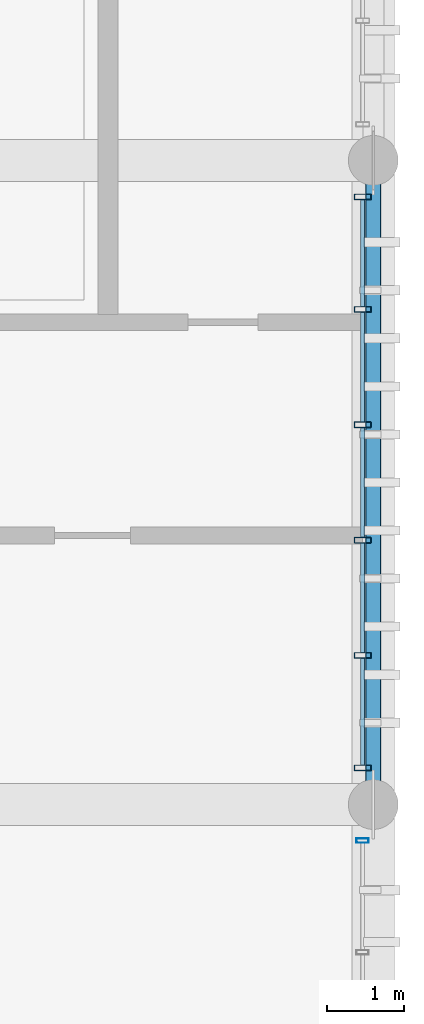
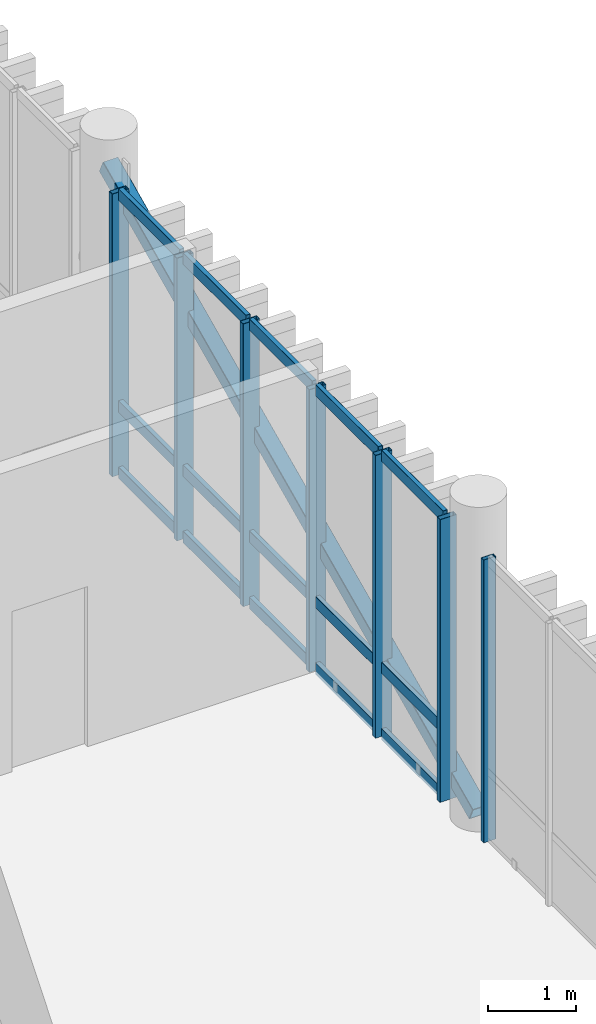
# One storey, part 33 of 53: 23 members, 2 elements without a shape of their own.
"""IFC4 building model written with IfcOpenShell, lengths in metres."""

from ifc_helpers import new_model, si_unit, direction, frame, origin_with_axes, origin_2d_with_axis, place, context, subcontext, project, spatial, hollow_rectangle, extrude, material, material_profile, profile_set, type_object, element, aggregate, save


model = new_model("IFC4")

# Units and contexts
model_context = context("Model", 3, precision=1e-05, world=origin_with_axes(), true_north=direction((0.0, 1.0)))
body_context = subcontext(model_context, "Body", "Model", "MODEL_VIEW")
ifc_project = project(units=[si_unit("LENGTHUNIT", "METRE"), si_unit("AREAUNIT", "SQUARE_METRE"), si_unit("VOLUMEUNIT", "CUBIC_METRE"), si_unit("PLANEANGLEUNIT", "RADIAN"), si_unit("MASSUNIT", "GRAM", prefix="KILO"), si_unit("THERMODYNAMICTEMPERATUREUNIT", "KELVIN")], contexts=[model_context])

# Site, building, storey
site_placement = place(None, origin_with_axes())
site = spatial("IfcSite", under=ifc_project, at=site_placement, CompositionType="ELEMENT")
building_placement = place(site_placement, origin_with_axes())
building = spatial("IfcBuilding", under=site, at=building_placement, Name="Montbau Bow Law Courts", CompositionType="ELEMENT")
storey_placement = place(building_placement, frame((0.0, 0.0, 39.0), z_axis=(0.0, 0.0, 1.0), x_axis=(1.0, 0.0, 0.0)))
storey = spatial("IfcBuildingStorey", under=building, at=storey_placement, Name="L08", CompositionType="ELEMENT", Elevation=39.0)

# Member
ifc_material_1 = material(Name="Steel CSA G40.21 Grade 350W (350 MPa)", Category="steel")
ifc_material_profile_1 = material_profile(ifc_material_1, hollow_rectangle(XDim=0.203, YDim=0.203, WallThickness=0.0111, InnerFilletRadius=0.0222, OuterFilletRadius=0.0111, at=origin_2d_with_axis()), Name="HSS203X203X11", Category="Main", Priority=0)
ifc_profile_set_1 = profile_set([ifc_material_profile_1], Name="Steel CSA G40.21 Grade 350W (350 MPa)")
member_type_1 = type_object("IfcMemberType", Name="M-BRC-02", PredefinedType="BRACE", material=ifc_profile_set_1)
member_1_placement = place(None, frame((169.4, 94.8, 39.05), z_axis=(0.0, 0.907544696, 0.419955504), x_axis=(-1.0, 0.0, 0.0)))
element("IfcMember", 1, at=member_1_placement, inside=storey, type_object=member_type_1, Name="Diagonal brace CBF-L08-079A", PredefinedType="BRACE", context=body_context, shape_type="SweptSolid", body=[
    extrude(hollow_rectangle(XDim=0.203, YDim=0.203, WallThickness=0.0111, InnerFilletRadius=0.0222, OuterFilletRadius=0.0111, at=origin_2d_with_axis()), origin_with_axes(), (0.0, 0.0, 1.0), 9.255742),
])

# Curtain wall, members
ifc_material_2 = material(Name="Thermally Broken Extruded Aluminium AA 6063-T6", Category="aluminium")
curtain_wall_type = type_object("IfcCurtainWallType", Name="CW-CRM-03", PredefinedType="NOTDEFINED", material=ifc_material_2)
curtain_wall_1_placement = place(None, frame((169.26, 95.24, 39.0), z_axis=(0.0, 0.0, 1.0), x_axis=(1.0, 0.0, 0.0)))
curtain_wall_1 = element("IfcCurtainWall", 2, at=curtain_wall_1_placement, inside=storey, type_object=curtain_wall_type, Name="CW-L08-384:cw_0384", PredefinedType="NOTDEFINED")
ifc_material_profile_2 = material_profile(ifc_material_2, hollow_rectangle(XDim=0.075, YDim=0.22, WallThickness=0.005, InnerFilletRadius=0.01, OuterFilletRadius=0.005, at=origin_2d_with_axis()), Name="CWM-220X75", Category="Main", Priority=0)
ifc_profile_set_2 = profile_set([ifc_material_profile_2], Name="Thermally Broken Extruded Aluminium AA 6063-T6")
member_type_2 = type_object("IfcMemberType", Name="M-MUL-01", PredefinedType="MULLION", material=ifc_profile_set_2)
member_2_placement = place(None, frame((169.26, 95.277, 39.0), z_axis=(0.0, 0.0, 1.0), x_axis=(0.0, 1.0, 0.0)))
member_2 = element("IfcMember", 3, at=member_2_placement, type_object=member_type_2, Name="CW-L08-384-M01:cw_0384_M01", PredefinedType="MULLION", context=body_context, shape_type="SweptSolid", body=[
    extrude(hollow_rectangle(XDim=0.075, YDim=0.22, WallThickness=0.005, InnerFilletRadius=0.01, OuterFilletRadius=0.005, at=origin_2d_with_axis()), origin_with_axes(), (0.0, 0.0, 1.0), 3.92),
])
member_3_placement = place(None, frame((169.26, 96.744, 39.0), z_axis=(0.0, 0.0, 1.0), x_axis=(0.0, 1.0, 0.0)))
member_3 = element("IfcMember", 4, at=member_3_placement, type_object=member_type_2, Name="CW-L08-384-M02:cw_0384_M02", PredefinedType="MULLION", context=body_context, shape_type="SweptSolid", body=[
    extrude(hollow_rectangle(XDim=0.075, YDim=0.22, WallThickness=0.005, InnerFilletRadius=0.01, OuterFilletRadius=0.005, at=origin_2d_with_axis()), origin_with_axes(), (0.0, 0.0, 1.0), 3.92),
])
member_4_placement = place(None, frame((169.26, 98.248, 39.0), z_axis=(0.0, 0.0, 1.0), x_axis=(0.0, 1.0, 0.0)))
member_4 = element("IfcMember", 5, at=member_4_placement, type_object=member_type_2, Name="CW-L08-384-M03:cw_0384_M03", PredefinedType="MULLION", context=body_context, shape_type="SweptSolid", body=[
    extrude(hollow_rectangle(XDim=0.075, YDim=0.22, WallThickness=0.005, InnerFilletRadius=0.01, OuterFilletRadius=0.005, at=origin_2d_with_axis()), origin_with_axes(), (0.0, 0.0, 1.0), 3.92),
])
member_5_placement = place(None, frame((169.26, 99.752, 39.0), z_axis=(0.0, 0.0, 1.0), x_axis=(0.0, 1.0, 0.0)))
member_5 = element("IfcMember", 6, at=member_5_placement, type_object=member_type_2, Name="CW-L08-384-M04:cw_0384_M04", PredefinedType="MULLION", context=body_context, shape_type="SweptSolid", body=[
    extrude(hollow_rectangle(XDim=0.075, YDim=0.22, WallThickness=0.005, InnerFilletRadius=0.01, OuterFilletRadius=0.005, at=origin_2d_with_axis()), origin_with_axes(), (0.0, 0.0, 1.0), 3.92),
])
member_6_placement = place(None, frame((169.26, 101.256, 39.0), z_axis=(0.0, 0.0, 1.0), x_axis=(0.0, 1.0, 0.0)))
member_6 = element("IfcMember", 7, at=member_6_placement, type_object=member_type_2, Name="CW-L08-384-M05:cw_0384_M05", PredefinedType="MULLION", context=body_context, shape_type="SweptSolid", body=[
    extrude(hollow_rectangle(XDim=0.075, YDim=0.22, WallThickness=0.005, InnerFilletRadius=0.01, OuterFilletRadius=0.005, at=origin_2d_with_axis()), origin_with_axes(), (0.0, 0.0, 1.0), 3.92),
])
member_7_placement = place(None, frame((169.26, 102.723, 39.0), z_axis=(0.0, 0.0, 1.0), x_axis=(0.0, 1.0, 0.0)))
member_7 = element("IfcMember", 8, at=member_7_placement, type_object=member_type_2, Name="CW-L08-384-M06:cw_0384_M06", PredefinedType="MULLION", context=body_context, shape_type="SweptSolid", body=[
    extrude(hollow_rectangle(XDim=0.075, YDim=0.22, WallThickness=0.005, InnerFilletRadius=0.01, OuterFilletRadius=0.005, at=origin_2d_with_axis()), origin_with_axes(), (0.0, 0.0, 1.0), 3.92),
])

# Curtain wall, member
curtain_wall_2_placement = place(None, frame((169.26, 86.915, 39.0), z_axis=(0.0, 0.0, 1.0), x_axis=(1.0, 0.0, 0.0)))
curtain_wall_2 = element("IfcCurtainWall", 9, at=curtain_wall_2_placement, inside=storey, type_object=curtain_wall_type, Name="CW-L08-383:cw_0383", PredefinedType="NOTDEFINED")
ifc_material_profile_3 = material_profile(ifc_material_2, hollow_rectangle(XDim=0.06, YDim=0.16, WallThickness=0.004, InnerFilletRadius=0.008, OuterFilletRadius=0.004, at=origin_2d_with_axis()), Name="CWM-160X60", Category="Main", Priority=0)
ifc_profile_set_3 = profile_set([ifc_material_profile_3], Name="Thermally Broken Extruded Aluminium AA 6063-T6")
member_type_3 = type_object("IfcMemberType", Name="M-MUL-03", PredefinedType="MULLION", material=ifc_profile_set_3)
member_8_placement = place(None, frame((169.26, 94.33, 39.0), z_axis=(0.0, 0.0, 1.0), x_axis=(0.0, 1.0, 0.0)))
member_8 = element("IfcMember", 10, at=member_8_placement, type_object=member_type_3, Name="CW-L08-383-M06:cw_0383_M06", PredefinedType="MULLION", context=body_context, shape_type="SweptSolid", body=[
    extrude(hollow_rectangle(XDim=0.06, YDim=0.16, WallThickness=0.004, InnerFilletRadius=0.008, OuterFilletRadius=0.004, at=origin_2d_with_axis()), origin_with_axes(), (0.0, 0.0, 1.0), 3.92),
])
aggregate(curtain_wall_2, [member_8])

# Member
ifc_material_profile_4 = material_profile(ifc_material_2, hollow_rectangle(XDim=0.06, YDim=0.16, WallThickness=0.004, InnerFilletRadius=0.008, OuterFilletRadius=0.004, at=origin_2d_with_axis()), Name="CWT-160X60", Category="Main", Priority=0)
ifc_profile_set_4 = profile_set([ifc_material_profile_4], Name="Thermally Broken Extruded Aluminium AA 6063-T6")
member_type_4 = type_object("IfcMemberType", Name="M-TRN-01", PredefinedType="USERDEFINED", material=ifc_profile_set_4)
member_9_placement = place(None, frame((169.26, 95.316, 39.03), z_axis=(0.0, 1.0, 0.0), x_axis=(-1.0, 0.0, 0.0)))
member_9 = element("IfcMember", 11, at=member_9_placement, type_object=member_type_4, Name="CW-L08-384-T01-1:cw_0384_T01_1", ObjectType="TRANSOM", PredefinedType="USERDEFINED", context=body_context, shape_type="SweptSolid", body=[
    extrude(hollow_rectangle(XDim=0.06, YDim=0.16, WallThickness=0.004, InnerFilletRadius=0.008, OuterFilletRadius=0.004, at=origin_2d_with_axis()), origin_with_axes(), (0.0, 0.0, 1.0), 1.388),
])

member_10_placement = place(None, frame((169.26, 95.316, 39.95), z_axis=(0.0, 1.0, 0.0), x_axis=(-1.0, 0.0, 0.0)))
member_10 = element("IfcMember", 12, at=member_10_placement, type_object=member_type_4, Name="CW-L08-384-T01-2:cw_0384_T01_2", ObjectType="TRANSOM", PredefinedType="USERDEFINED", context=body_context, shape_type="SweptSolid", body=[
    extrude(hollow_rectangle(XDim=0.06, YDim=0.16, WallThickness=0.004, InnerFilletRadius=0.008, OuterFilletRadius=0.004, at=origin_2d_with_axis()), origin_with_axes(), (0.0, 0.0, 1.0), 1.388),
])

member_11_placement = place(None, frame((169.26, 95.316, 42.89), z_axis=(0.0, 1.0, 0.0), x_axis=(-1.0, 0.0, 0.0)))
member_11 = element("IfcMember", 13, at=member_11_placement, type_object=member_type_4, Name="CW-L08-384-T01-3:cw_0384_T01_3", ObjectType="TRANSOM", PredefinedType="USERDEFINED", context=body_context, shape_type="SweptSolid", body=[
    extrude(hollow_rectangle(XDim=0.06, YDim=0.16, WallThickness=0.004, InnerFilletRadius=0.008, OuterFilletRadius=0.004, at=origin_2d_with_axis()), origin_with_axes(), (0.0, 0.0, 1.0), 1.388),
])

member_12_placement = place(None, frame((169.26, 96.784, 39.03), z_axis=(0.0, 1.0, 0.0), x_axis=(-1.0, 0.0, 0.0)))
member_12 = element("IfcMember", 14, at=member_12_placement, type_object=member_type_4, Name="CW-L08-384-T02-1:cw_0384_T02_1", ObjectType="TRANSOM", PredefinedType="USERDEFINED", context=body_context, shape_type="SweptSolid", body=[
    extrude(hollow_rectangle(XDim=0.06, YDim=0.16, WallThickness=0.004, InnerFilletRadius=0.008, OuterFilletRadius=0.004, at=origin_2d_with_axis()), origin_with_axes(), (0.0, 0.0, 1.0), 1.425),
])

member_13_placement = place(None, frame((169.26, 96.784, 39.95), z_axis=(0.0, 1.0, 0.0), x_axis=(-1.0, 0.0, 0.0)))
member_13 = element("IfcMember", 15, at=member_13_placement, type_object=member_type_4, Name="CW-L08-384-T02-2:cw_0384_T02_2", ObjectType="TRANSOM", PredefinedType="USERDEFINED", context=body_context, shape_type="SweptSolid", body=[
    extrude(hollow_rectangle(XDim=0.06, YDim=0.16, WallThickness=0.004, InnerFilletRadius=0.008, OuterFilletRadius=0.004, at=origin_2d_with_axis()), origin_with_axes(), (0.0, 0.0, 1.0), 1.425),
])

member_14_placement = place(None, frame((169.26, 96.784, 42.89), z_axis=(0.0, 1.0, 0.0), x_axis=(-1.0, 0.0, 0.0)))
member_14 = element("IfcMember", 16, at=member_14_placement, type_object=member_type_4, Name="CW-L08-384-T02-3:cw_0384_T02_3", ObjectType="TRANSOM", PredefinedType="USERDEFINED", context=body_context, shape_type="SweptSolid", body=[
    extrude(hollow_rectangle(XDim=0.06, YDim=0.16, WallThickness=0.004, InnerFilletRadius=0.008, OuterFilletRadius=0.004, at=origin_2d_with_axis()), origin_with_axes(), (0.0, 0.0, 1.0), 1.425),
])

member_15_placement = place(None, frame((169.26, 98.287, 39.03), z_axis=(0.0, 1.0, 0.0), x_axis=(-1.0, 0.0, 0.0)))
member_15 = element("IfcMember", 17, at=member_15_placement, type_object=member_type_4, Name="CW-L08-384-T03-1:cw_0384_T03_1", ObjectType="TRANSOM", PredefinedType="USERDEFINED", context=body_context, shape_type="SweptSolid", body=[
    extrude(hollow_rectangle(XDim=0.06, YDim=0.16, WallThickness=0.004, InnerFilletRadius=0.008, OuterFilletRadius=0.004, at=origin_2d_with_axis()), origin_with_axes(), (0.0, 0.0, 1.0), 1.426),
])

member_16_placement = place(None, frame((169.26, 98.287, 39.95), z_axis=(0.0, 1.0, 0.0), x_axis=(-1.0, 0.0, 0.0)))
member_16 = element("IfcMember", 18, at=member_16_placement, type_object=member_type_4, Name="CW-L08-384-T03-2:cw_0384_T03_2", ObjectType="TRANSOM", PredefinedType="USERDEFINED", context=body_context, shape_type="SweptSolid", body=[
    extrude(hollow_rectangle(XDim=0.06, YDim=0.16, WallThickness=0.004, InnerFilletRadius=0.008, OuterFilletRadius=0.004, at=origin_2d_with_axis()), origin_with_axes(), (0.0, 0.0, 1.0), 1.426),
])

member_17_placement = place(None, frame((169.26, 98.287, 42.89), z_axis=(0.0, 1.0, 0.0), x_axis=(-1.0, 0.0, 0.0)))
member_17 = element("IfcMember", 19, at=member_17_placement, type_object=member_type_4, Name="CW-L08-384-T03-3:cw_0384_T03_3", ObjectType="TRANSOM", PredefinedType="USERDEFINED", context=body_context, shape_type="SweptSolid", body=[
    extrude(hollow_rectangle(XDim=0.06, YDim=0.16, WallThickness=0.004, InnerFilletRadius=0.008, OuterFilletRadius=0.004, at=origin_2d_with_axis()), origin_with_axes(), (0.0, 0.0, 1.0), 1.426),
])

member_18_placement = place(None, frame((169.26, 99.791, 39.03), z_axis=(0.0, 1.0, 0.0), x_axis=(-1.0, 0.0, 0.0)))
member_18 = element("IfcMember", 20, at=member_18_placement, type_object=member_type_4, Name="CW-L08-384-T04-1:cw_0384_T04_1", ObjectType="TRANSOM", PredefinedType="USERDEFINED", context=body_context, shape_type="SweptSolid", body=[
    extrude(hollow_rectangle(XDim=0.06, YDim=0.16, WallThickness=0.004, InnerFilletRadius=0.008, OuterFilletRadius=0.004, at=origin_2d_with_axis()), origin_with_axes(), (0.0, 0.0, 1.0), 1.426),
])

member_19_placement = place(None, frame((169.26, 99.791, 39.95), z_axis=(0.0, 1.0, 0.0), x_axis=(-1.0, 0.0, 0.0)))
member_19 = element("IfcMember", 21, at=member_19_placement, type_object=member_type_4, Name="CW-L08-384-T04-2:cw_0384_T04_2", ObjectType="TRANSOM", PredefinedType="USERDEFINED", context=body_context, shape_type="SweptSolid", body=[
    extrude(hollow_rectangle(XDim=0.06, YDim=0.16, WallThickness=0.004, InnerFilletRadius=0.008, OuterFilletRadius=0.004, at=origin_2d_with_axis()), origin_with_axes(), (0.0, 0.0, 1.0), 1.426),
])

member_20_placement = place(None, frame((169.26, 99.791, 42.89), z_axis=(0.0, 1.0, 0.0), x_axis=(-1.0, 0.0, 0.0)))
member_20 = element("IfcMember", 22, at=member_20_placement, type_object=member_type_4, Name="CW-L08-384-T04-3:cw_0384_T04_3", ObjectType="TRANSOM", PredefinedType="USERDEFINED", context=body_context, shape_type="SweptSolid", body=[
    extrude(hollow_rectangle(XDim=0.06, YDim=0.16, WallThickness=0.004, InnerFilletRadius=0.008, OuterFilletRadius=0.004, at=origin_2d_with_axis()), origin_with_axes(), (0.0, 0.0, 1.0), 1.426),
])

member_21_placement = place(None, frame((169.26, 101.295, 39.03), z_axis=(0.0, 1.0, 0.0), x_axis=(-1.0, 0.0, 0.0)))
member_21 = element("IfcMember", 23, at=member_21_placement, type_object=member_type_4, Name="CW-L08-384-T05-1:cw_0384_T05_1", ObjectType="TRANSOM", PredefinedType="USERDEFINED", context=body_context, shape_type="SweptSolid", body=[
    extrude(hollow_rectangle(XDim=0.06, YDim=0.16, WallThickness=0.004, InnerFilletRadius=0.008, OuterFilletRadius=0.004, at=origin_2d_with_axis()), origin_with_axes(), (0.0, 0.0, 1.0), 1.389),
])

member_22_placement = place(None, frame((169.26, 101.295, 39.95), z_axis=(0.0, 1.0, 0.0), x_axis=(-1.0, 0.0, 0.0)))
member_22 = element("IfcMember", 24, at=member_22_placement, type_object=member_type_4, Name="CW-L08-384-T05-2:cw_0384_T05_2", ObjectType="TRANSOM", PredefinedType="USERDEFINED", context=body_context, shape_type="SweptSolid", body=[
    extrude(hollow_rectangle(XDim=0.06, YDim=0.16, WallThickness=0.004, InnerFilletRadius=0.008, OuterFilletRadius=0.004, at=origin_2d_with_axis()), origin_with_axes(), (0.0, 0.0, 1.0), 1.389),
])

member_23_placement = place(None, frame((169.26, 101.295, 42.89), z_axis=(0.0, 1.0, 0.0), x_axis=(-1.0, 0.0, 0.0)))
member_23 = element("IfcMember", 25, at=member_23_placement, type_object=member_type_4, Name="CW-L08-384-T05-3:cw_0384_T05_3", ObjectType="TRANSOM", PredefinedType="USERDEFINED", context=body_context, shape_type="SweptSolid", body=[
    extrude(hollow_rectangle(XDim=0.06, YDim=0.16, WallThickness=0.004, InnerFilletRadius=0.008, OuterFilletRadius=0.004, at=origin_2d_with_axis()), origin_with_axes(), (0.0, 0.0, 1.0), 1.389),
])

aggregate(curtain_wall_1, [member_2, member_3, member_4, member_5, member_6, member_7, member_9, member_10, member_11, member_12, member_13, member_14, member_15, member_16, member_17, member_18, member_19, member_20, member_21, member_22, member_23])

save(model, "model.ifc")
